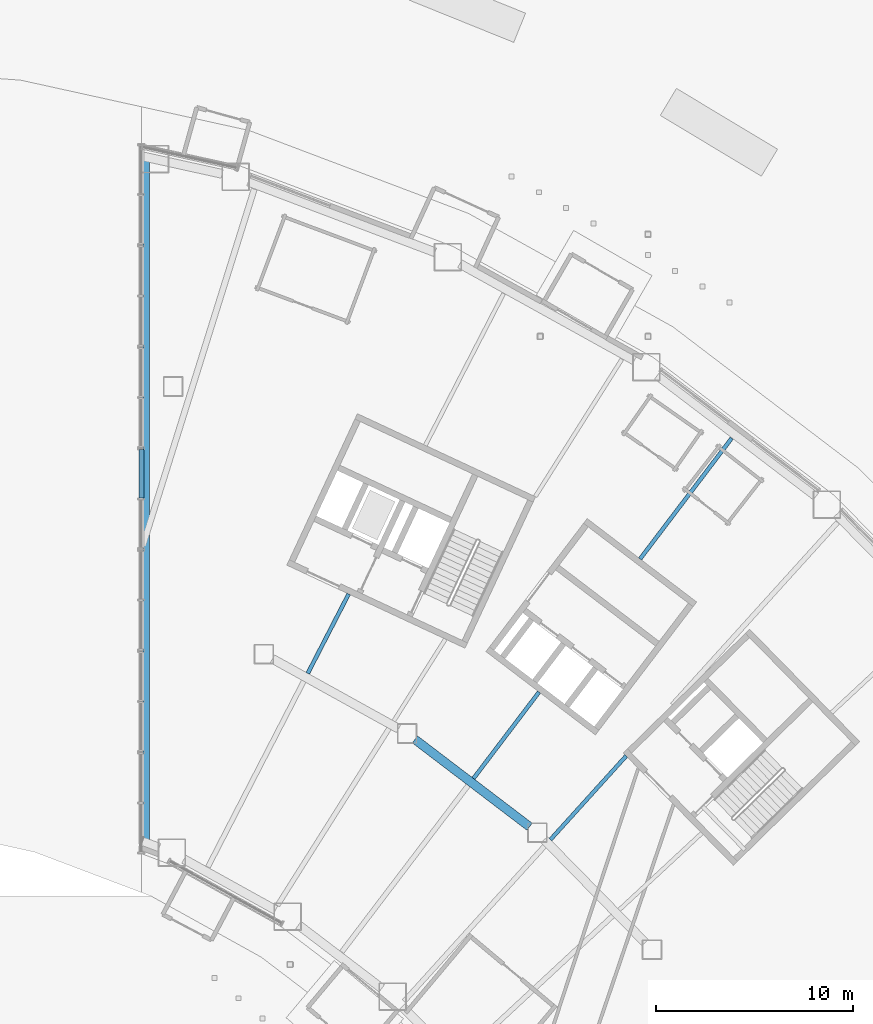
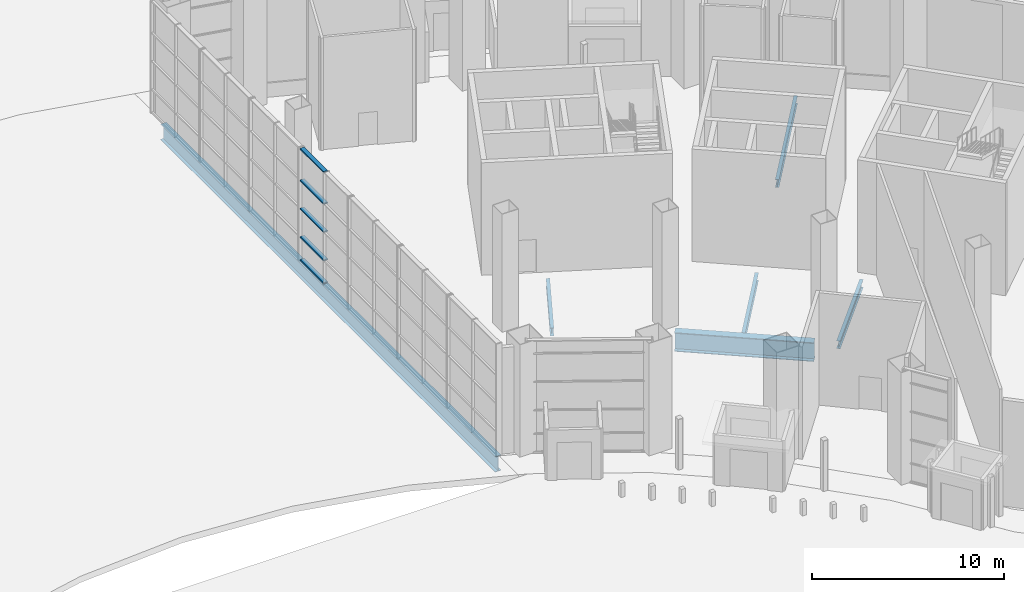
# One storey, part 22 of 45: 6 beams, 5 members, 1 element without a shape of its own.
"""IFC4 building model written with IfcOpenShell, lengths in metres."""

from ifc_helpers import new_model, si_unit, direction, frame, origin, origin_2d, place, context, subcontext, project, spatial, hollow_rectangle, i_section, extrude, material, layer, layer_set, material_profile, profile_set, type_object, element, aggregate, save


model = new_model("IFC4")

# Units and contexts
model_context = context("Model", 3, precision=1e-05, world=origin(), true_north=direction((0.0, 1.0)))
body_context = subcontext(model_context, "Body", "Model", "MODEL_VIEW")
ifc_project = project(units=[si_unit("LENGTHUNIT", "METRE"), si_unit("AREAUNIT", "SQUARE_METRE"), si_unit("VOLUMEUNIT", "CUBIC_METRE"), si_unit("PLANEANGLEUNIT", "RADIAN"), si_unit("MASSUNIT", "GRAM", prefix="KILO")], contexts=[model_context])

# Site, building, storey
site_placement = place(None, origin())
site = spatial("IfcSite", under=ifc_project, at=site_placement, CompositionType="ELEMENT")
building_placement = place(site_placement, origin())
building = spatial("IfcBuilding", under=site, at=building_placement, Name="Tuul Gate Civic Tower", CompositionType="ELEMENT")
storey_placement = place(building_placement, origin())
storey = spatial("IfcBuildingStorey", under=building, at=storey_placement, Name="Level 00", CompositionType="ELEMENT", Elevation=0.0)

# Curtain wall, members
ifc_material_1 = material(Name="Stainless steel", Category="steel")
ifc_layer = layer(ifc_material_1, 0.199951171875)
ifc_layer_set = layer_set([ifc_layer], Name="Stainless steel")
curtain_wall_type = type_object("IfcCurtainWallType", Name="Curtain wall CW2", PredefinedType="NOTDEFINED", material=ifc_layer_set)
curtain_wall_placement = place(storey_placement, origin())
curtain_wall = element("IfcCurtainWall", 1, at=curtain_wall_placement, inside=storey, type_object=curtain_wall_type, Name="Curtain wall CW2", PredefinedType="NOTDEFINED")
ifc_material_2 = material(Name="Stainless steel", Category="steel")
ifc_material_profile_1 = material_profile(ifc_material_2, hollow_rectangle(XDim=0.25, YDim=0.080078125, WallThickness=0.006103515625, at=origin_2d()), Name="CW2 transom")
ifc_profile_set_1 = profile_set([ifc_material_profile_1], Name="Stainless steel")
member_type = type_object("IfcMemberType", Name="CW2 transom", PredefinedType="USERDEFINED", material=ifc_profile_set_1)
member_1_placement = place(storey_placement, frame((18.0, 0.25439453125, 0.0400390625), z_axis=(0.0, 1.0, 0.0), x_axis=(-1.0, 0.0, 0.0)))
member_1 = element("IfcMember", 2, at=member_1_placement, type_object=member_type, Name="Transom", ObjectType="TRANSOM", PredefinedType="USERDEFINED", context=body_context, shape_type="SweptSolid", body=[
    extrude(hollow_rectangle(XDim=0.25, YDim=0.080078125, WallThickness=0.006103515625, at=origin_2d()), origin(), (0.0, 0.0, 1.0), 2.458740234375),
])
member_2_placement = place(storey_placement, frame((18.0, 0.25439453125, 1.5), z_axis=(0.0, 1.0, 0.0), x_axis=(-1.0, 0.0, 0.0)))
member_2 = element("IfcMember", 3, at=member_2_placement, type_object=member_type, Name="Transom", ObjectType="TRANSOM", PredefinedType="USERDEFINED", context=body_context, shape_type="SweptSolid", body=[
    extrude(hollow_rectangle(XDim=0.25, YDim=0.080078125, WallThickness=0.006103515625, at=origin_2d()), origin(), (0.0, 0.0, 1.0), 2.458740234375),
])
member_3_placement = place(storey_placement, frame((18.0, 0.25439453125, 3.300048828125), z_axis=(0.0, 1.0, 0.0), x_axis=(-1.0, 0.0, 0.0)))
member_3 = element("IfcMember", 4, at=member_3_placement, type_object=member_type, Name="Transom", ObjectType="TRANSOM", PredefinedType="USERDEFINED", context=body_context, shape_type="SweptSolid", body=[
    extrude(hollow_rectangle(XDim=0.25, YDim=0.080078125, WallThickness=0.006103515625, at=origin_2d()), origin(), (0.0, 0.0, 1.0), 2.458740234375),
])
member_4_placement = place(storey_placement, frame((18.0, 0.25439453125, 5.10009765625), z_axis=(0.0, 1.0, 0.0), x_axis=(-1.0, 0.0, 0.0)))
member_4 = element("IfcMember", 5, at=member_4_placement, type_object=member_type, Name="Transom", ObjectType="TRANSOM", PredefinedType="USERDEFINED", context=body_context, shape_type="SweptSolid", body=[
    extrude(hollow_rectangle(XDim=0.25, YDim=0.080078125, WallThickness=0.006103515625, at=origin_2d()), origin(), (0.0, 0.0, 1.0), 2.458740234375),
])
member_5_placement = place(storey_placement, frame((18.0, 0.25439453125, 7.110107421875), z_axis=(0.0, 1.0, 0.0), x_axis=(-1.0, 0.0, 0.0)))
member_5 = element("IfcMember", 6, at=member_5_placement, type_object=member_type, Name="Transom", ObjectType="TRANSOM", PredefinedType="USERDEFINED", context=body_context, shape_type="SweptSolid", body=[
    extrude(hollow_rectangle(XDim=0.25, YDim=0.080078125, WallThickness=0.006103515625, at=origin_2d()), origin(), (0.0, 0.0, 1.0), 2.458740234375),
])
aggregate(curtain_wall, [member_1, member_2, member_3, member_4, member_5])

# Beams
ifc_material_3 = material(Name="Steel S355", Category="steel")
ifc_material_profile_2 = material_profile(ifc_material_3, i_section(OverallWidth=0.199951171875, OverallDepth=0.5, WebThickness=0.010009765625, FlangeThickness=0.01611328125, at=origin_2d()), Name="PG500x200x10x16")
ifc_profile_set_2 = profile_set([ifc_material_profile_2], Name="Steel S355")
beam_type_1 = type_object("IfcBeamType", Name="STR-FLOOR BEAM-PG500x200x10x16", PredefinedType="BEAM", material=ifc_profile_set_2)
beam_1_placement = place(storey_placement, frame((38.812255859375, -17.125, -0.64990234375), z_axis=(0.671102625073, 0.741364462744, 0.0), x_axis=(-0.741364462744, 0.671102625073, 0.0)))
element("IfcBeam", 7, at=beam_1_placement, inside=storey, type_object=beam_type_1, Name="Floor beam", PredefinedType="BEAM", context=body_context, shape_type="SweptSolid", body=[
    extrude(i_section(OverallWidth=0.199951171875, OverallDepth=0.5, WebThickness=0.010009765625, FlangeThickness=0.01611328125, at=origin_2d()), origin(), (0.0, 0.0, 1.0), 5.740234375),
])
beam_2_placement = place(storey_placement, frame((34.8984375, -14.01220703125, -0.64990234375), z_axis=(0.604519082905, 0.79659065925, 0.0), x_axis=(-0.79659065925, 0.604519082905, 0.0)))
element("IfcBeam", 8, at=beam_2_placement, inside=storey, type_object=beam_type_1, Name="Floor beam", PredefinedType="BEAM", context=body_context, shape_type="SweptSolid", body=[
    extrude(i_section(OverallWidth=0.199951171875, OverallDepth=0.5, WebThickness=0.010009765625, FlangeThickness=0.01611328125, at=origin_2d()), origin(), (0.0, 0.0, 1.0), 5.520263671875),
])
beam_3_placement = place(storey_placement, frame((43.373779296875, -2.84375, -0.64990234375), z_axis=(0.604512693182, 0.796595508261, 0.0), x_axis=(-0.796595508261, 0.604512693182, 0.0)))
element("IfcBeam", 9, at=beam_3_placement, inside=storey, type_object=beam_type_1, Name="Floor beam", PredefinedType="BEAM", context=body_context, shape_type="SweptSolid", body=[
    extrude(i_section(OverallWidth=0.199951171875, OverallDepth=0.5, WebThickness=0.010009765625, FlangeThickness=0.01611328125, at=origin_2d()), origin(), (0.0, 0.0, 1.0), 7.704833984375),
])
beam_4_placement = place(storey_placement, frame((26.468017578125, -8.6650390625, -0.64990234375), z_axis=(0.458251317749, 0.88882266498, 0.0), x_axis=(-0.88882266498, 0.458251317749, 0.0)))
element("IfcBeam", 10, at=beam_4_placement, inside=storey, type_object=beam_type_1, Name="Floor beam", PredefinedType="BEAM", context=body_context, shape_type="SweptSolid", body=[
    extrude(i_section(OverallWidth=0.199951171875, OverallDepth=0.5, WebThickness=0.010009765625, FlangeThickness=0.01611328125, at=origin_2d()), origin(), (0.0, 0.0, 1.0), 4.54248046875),
])
ifc_material_4 = material(Name="Steel S355", Category="steel")
ifc_material_profile_3 = material_profile(ifc_material_4, i_section(OverallWidth=0.35009765625, OverallDepth=1.0, WebThickness=0.01611328125, FlangeThickness=0.030029296875, at=origin_2d()), Name="PG1000x350x16x30")
ifc_profile_set_3 = profile_set([ifc_material_profile_3], Name="Steel S355")
beam_type_2 = type_object("IfcBeamType", Name="STR-RING BEAM-PG1000x350x16x30", PredefinedType="BEAM", material=ifc_profile_set_3)
beam_5_placement = place(storey_placement, frame((18.25, -17.28857421875, -0.89990234375), z_axis=(0.0, 1.0, 0.0), x_axis=(-1.0, 0.0, 0.0)))
element("IfcBeam", 11, at=beam_5_placement, inside=storey, type_object=beam_type_2, Name="Tunnel edge beam", PredefinedType="BEAM", context=body_context, shape_type="SweptSolid", body=[
    extrude(i_section(OverallWidth=0.35009765625, OverallDepth=1.0, WebThickness=0.01611328125, FlangeThickness=0.030029296875, at=origin_2d()), origin(), (0.0, 0.0, 1.0), 34.884521484375),
])
ifc_material_5 = material(Name="Steel S355", Category="steel")
ifc_material_profile_4 = material_profile(ifc_material_5, i_section(OverallWidth=0.449951171875, OverallDepth=1.199951171875, WebThickness=0.02001953125, FlangeThickness=0.0400390625, at=origin_2d()), Name="PG1200x450x20x40")
ifc_profile_set_4 = profile_set([ifc_material_profile_4], Name="Steel S355")
beam_type_3 = type_object("IfcBeamType", Name="STR-RING BEAM-PG1200x450x20x40", PredefinedType="BEAM", material=ifc_profile_set_4)
beam_6_placement = place(storey_placement, frame((31.920166015625, -12.02734375, -1.0), z_axis=(0.795630466158, -0.605782272207, 0.0), x_axis=(0.605782272207, 0.795630466158, 0.0)))
element("IfcBeam", 12, at=beam_6_placement, inside=storey, type_object=beam_type_3, Name="Ring girder", PredefinedType="BEAM", context=body_context, shape_type="SweptSolid", body=[
    extrude(i_section(OverallWidth=0.449951171875, OverallDepth=1.199951171875, WebThickness=0.02001953125, FlangeThickness=0.0400390625, at=origin_2d()), origin(), (0.0, 0.0, 1.0), 7.330078125),
])

save(model, "model.ifc")
